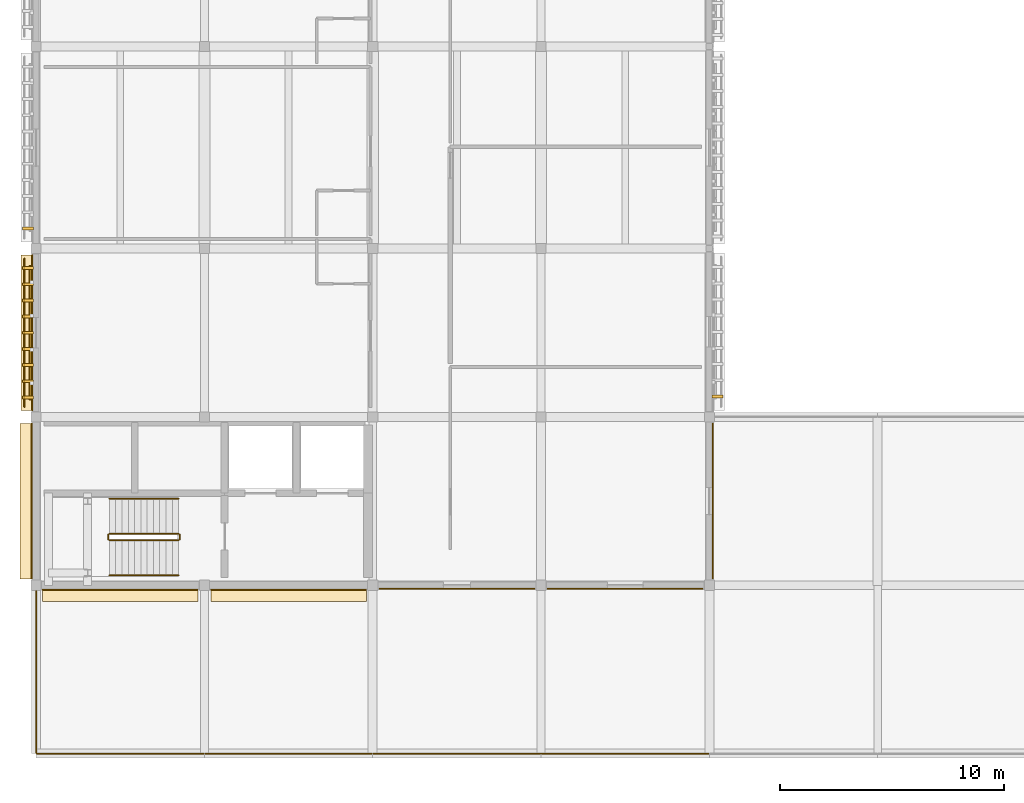
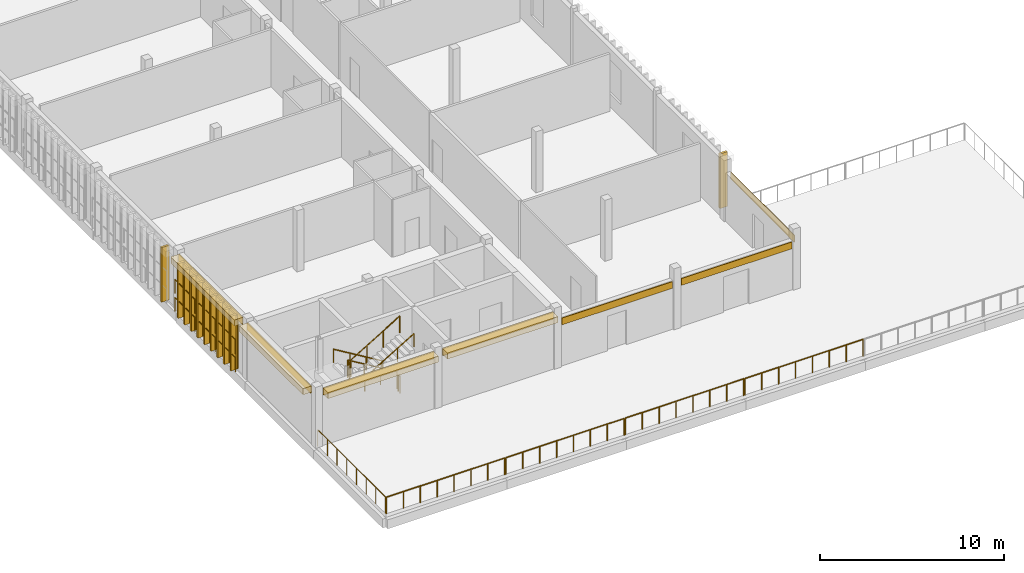
# One storey, part 9 of 13: 22 coverings, 13 railings, 4 shading devices.
"""IFC4 building model written with IfcOpenShell, lengths in metres."""

import ifcopenshell
import ifcopenshell.guid

model = None  # the IFC model being written
_history = None  # IfcOwnerHistory: only IFC2X3 demands one
_inside = {}  # id of a spatial element -> (the spatial element, [elements in it])
_under = {}  # id of a project, library or spatial element -> (it, [spatial elements below it])
_declared = {}  # id of a project -> (the project, [libraries it declares])
_typed = {}  # id of a type object -> (the type object, [elements of that type])
_made_of = {}  # id of a material, layer set ... -> (it, [elements and type objects made of it])


def new_model(schema):
    """Start an empty IFC model of exactly this schema.

    Asked for "IFC4X3", IfcOpenShell would pick the latest addendum, in which some entities
    have other attributes; the version numbers below select the first issue.
    IFC2X3 requires an IfcOwnerHistory on every rooted entity: one is made here for all.
    """
    global model, _history
    if schema == "IFC4X3":
        model = ifcopenshell.file(schema_version=(4, 3, 0, 0))
    else:
        model = ifcopenshell.file(schema=schema)
    _inside.clear()
    _under.clear()
    _declared.clear()
    _typed.clear()
    _made_of.clear()
    _history = None
    if model.schema == "IFC2X3":
        org = make("IfcOrganization", Name="unknown")
        user = make(
            "IfcPersonAndOrganization",
            ThePerson=make("IfcPerson", FamilyName="unknown"),
            TheOrganization=org,
        )
        app = make(
            "IfcApplication",
            ApplicationDeveloper=org,
            Version="unknown",
            ApplicationFullName="unknown",
            ApplicationIdentifier="unknown",
        )
        _history = make(
            "IfcOwnerHistory",
            OwningUser=user,
            OwningApplication=app,
            ChangeAction="ADDED",
            CreationDate=0,
        )
    return model


def make(cls, **values):
    """One entity of the class cls with the attributes given. An attribute that is None is left unset."""
    return model.create_entity(
        cls, **{name: value for name, value in values.items() if value is not None}
    )


def rooted(cls, **values):
    """An entity with a GlobalId (a new one), such as an element, a storey or a relation."""
    return make(cls, GlobalId=ifcopenshell.guid.new(), OwnerHistory=_history, **values)


def si_unit(unit_type, name, prefix=None):
    """IfcSIUnit, for example si_unit("LENGTHUNIT", "METRE", prefix="MILLI")."""
    return make("IfcSIUnit", UnitType=unit_type, Prefix=prefix, Name=name)


def assignment(units):
    """IfcUnitAssignment: the units of a project."""
    return None if units is None else make("IfcUnitAssignment", Units=units)


def point(xyz):
    """IfcCartesianPoint."""
    return None if xyz is None else make("IfcCartesianPoint", Coordinates=xyz)


def direction(xyz):
    """IfcDirection."""
    return None if xyz is None else make("IfcDirection", DirectionRatios=xyz)


def frame(location, z_axis=None, x_axis=None):
    """IfcAxis2Placement3D, a coordinate frame: its origin and axes. An axis left out is left unset."""
    return make(
        "IfcAxis2Placement3D",
        Location=point(location),
        Axis=direction(z_axis),
        RefDirection=direction(x_axis),
    )


def frame_2d(location, x_axis=None):
    """IfcAxis2Placement2D, a coordinate frame in the plane: its origin and x axis."""
    return make(
        "IfcAxis2Placement2D", Location=point(location), RefDirection=direction(x_axis)
    )


def origin():
    """The frame at (0, 0, 0) with its axes left unset."""
    return frame((0.0, 0.0, 0.0))


def origin_2d():
    """The frame at (0, 0) in the plane with its x axis left unset."""
    return frame_2d((0.0, 0.0))


def place(relative_to, where):
    """IfcLocalPlacement: puts the frame where relative to a parent placement (None: the world)."""
    return make(
        "IfcLocalPlacement", PlacementRelTo=relative_to, RelativePlacement=where
    )


def context(
    kind, dimensions, precision=None, world=None, true_north=None, identifier=None
):
    """IfcGeometricRepresentationContext, for example the 3D "Model" context."""
    return make(
        "IfcGeometricRepresentationContext",
        ContextIdentifier=identifier,
        ContextType=kind,
        CoordinateSpaceDimension=dimensions,
        Precision=precision,
        WorldCoordinateSystem=world,
        TrueNorth=true_north,
    )


def subcontext(parent, identifier, kind, view, scale=None):
    """IfcGeometricRepresentationSubContext, for example "Body" below "Model"."""
    return make(
        "IfcGeometricRepresentationSubContext",
        ContextIdentifier=identifier,
        ContextType=kind,
        ParentContext=parent,
        TargetScale=scale,
        TargetView=view,
    )


def project(units=None, contexts=None):
    """IfcProject with its units and contexts."""
    return rooted(
        "IfcProject",
        Name="project",
        RepresentationContexts=contexts,
        UnitsInContext=assignment(units),
    )


def spatial(cls, under=None, at=None, **own):
    """A site, building, storey or space (cls), placed at a placement, below another one or the project."""
    s = rooted(cls, ObjectPlacement=at, **own)
    if under is not None:
        _under.setdefault(under.id(), (under, []))[1].append(s)
    return s


def profile(cls, at=None, kind="AREA", **sizes):
    """A parametric profile (cls). Its sizes go by their IFC names, for example OverallWidth=200.0."""
    return make(cls, ProfileType=kind, Position=at, **sizes)


def rectangle(**sizes):
    """IfcRectangleProfileDef."""
    return profile("IfcRectangleProfileDef", **sizes)


def circle(**sizes):
    """IfcCircleProfileDef."""
    return profile("IfcCircleProfileDef", **sizes)


def extrude(swept, where, along, depth):
    """IfcExtrudedAreaSolid: the profile swept, set in the frame where, extruded along a direction by depth."""
    return make(
        "IfcExtrudedAreaSolid",
        SweptArea=swept,
        Position=where,
        ExtrudedDirection=direction(along),
        Depth=depth,
    )


def shape(context_of_items, identifier, shape_type, items):
    """IfcShapeRepresentation: the items that make up one representation, for example the "Body"."""
    return make(
        "IfcShapeRepresentation",
        ContextOfItems=context_of_items,
        RepresentationIdentifier=identifier,
        RepresentationType=shape_type,
        Items=items,
    )


def material(Name=None, Category=None):
    """IfcMaterial."""
    return make("IfcMaterial", Name=Name, Category=Category)


def layer(
    of_material, thickness, ventilated=None, Name=None, Category=None, Priority=None
):
    """IfcMaterialLayer: one layer of a wall or slab, of a material (None: an air gap)."""
    return make(
        "IfcMaterialLayer",
        Material=of_material,
        LayerThickness=thickness,
        IsVentilated=ventilated,
        Name=Name,
        Category=Category,
        Priority=Priority,
    )


def layer_set(layers, Name=None):
    """IfcMaterialLayerSet."""
    return make("IfcMaterialLayerSet", MaterialLayers=layers, LayerSetName=Name)


def made_of(thing, what):
    """Note that an element or type object is made of a material, layer set ...; save() writes the relation."""
    if what is not None:
        _made_of.setdefault(what.id(), (what, []))[1].append(thing)
    return thing


def type_object(cls, material=None, **own):
    """A type object (cls), such as IfcWallType, which elements share."""
    return made_of(rooted(cls, **own), material)


def element(
    cls,
    number,
    at=None,
    inside=None,
    cuts=None,
    type_object=None,
    material=None,
    context=None,
    identifier="Body",
    shape_type=None,
    held_by="IfcProductDefinitionShape",
    body=None,
    shapes=None,
    **own,
):
    """One element of the class cls, such as IfcWall. Its Tag is "e" and its number.

    at: its placement. inside: the storey or other place that contains it. cuts: it is an
    opening in that element (IfcRelVoidsElement). A single representation is given by context,
    identifier, shape_type and body (its items); several are given by shapes. held_by: the class
    of the entity that holds the representations. save() writes the other relations.
    """
    e = rooted(cls, Tag="e%d" % number, ObjectPlacement=at, **own)
    if body is not None:
        shapes = [shape(context, identifier, shape_type, body)]
    if shapes is not None:
        e.Representation = make(held_by, Representations=shapes)
    if inside is not None:
        _inside.setdefault(inside.id(), (inside, []))[1].append(e)
    if cuts is not None:
        rooted(
            "IfcRelVoidsElement", RelatingBuildingElement=cuts, RelatedOpeningElement=e
        )
    if type_object is not None:
        _typed.setdefault(type_object.id(), (type_object, []))[1].append(e)
    return made_of(e, material)


def aggregate(whole, parts):
    """IfcRelAggregates: a whole, such as a stair, and the parts it consists of."""
    return rooted("IfcRelAggregates", RelatingObject=whole, RelatedObjects=parts)


def save(model, path):
    """Write the relations noted so far, then the file.

    IfcRelAggregates (storeys below a building ...), IfcRelContainedInSpatialStructure (elements
    in a storey), IfcRelDefinesByType, IfcRelAssociatesMaterial and IfcRelDeclares: one each for
    every whole, place, type object, material and project.
    """
    for whole, parts in _under.values():
        aggregate(whole, parts)
    for where, things in _inside.values():
        rooted(
            "IfcRelContainedInSpatialStructure",
            RelatedElements=things,
            RelatingStructure=where,
        )
    for kind, things in _typed.values():
        rooted("IfcRelDefinesByType", RelatedObjects=things, RelatingType=kind)
    for what, things in _made_of.values():
        rooted("IfcRelAssociatesMaterial", RelatedObjects=things, RelatingMaterial=what)
    for by, libraries in _declared.values():
        rooted("IfcRelDeclares", RelatingContext=by, RelatedDefinitions=libraries)
    model.write(path)


model = new_model("IFC4")

# Units and contexts
model_context = context("Model", 3, precision=1e-05, world=origin(), true_north=direction((0.0, 1.0)))
body_context = subcontext(model_context, "Body", "Model", "MODEL_VIEW")
ifc_project = project(units=[si_unit("LENGTHUNIT", "METRE"), si_unit("AREAUNIT", "SQUARE_METRE"), si_unit("VOLUMEUNIT", "CUBIC_METRE"), si_unit("PLANEANGLEUNIT", "RADIAN"), si_unit("MASSUNIT", "GRAM", prefix="KILO")], contexts=[model_context])

# Site, building, storey
site_placement = place(None, origin())
site = spatial("IfcSite", under=ifc_project, at=site_placement, CompositionType="ELEMENT")
building_placement = place(site_placement, origin())
building = spatial("IfcBuilding", under=site, at=building_placement, Name="Dalvernix Boulevard General Hospital", CompositionType="ELEMENT")
storey_placement = place(building_placement, frame((0.0, 0.0, 30.0)))
storey = spatial("IfcBuildingStorey", under=building, at=storey_placement, Name="L07", CompositionType="ELEMENT", Elevation=30.0)

# Coverings
ifc_material_1 = material(Name="Polychrome Catalan glazed ceramic spandrel tile panel")
ifc_layer_1 = layer(ifc_material_1, 0.044921875)
ifc_layer_set_1 = layer_set([ifc_layer_1], Name="Polychrome Catalan glazed ceramic spandrel tile panel (COV-CLD-01)")
covering_type_1 = type_object("IfcCoveringType", Name="COV-CLD-01", PredefinedType="CLADDING", material=ifc_layer_set_1)
for number, where, z_axis, x_axis, name in (
    (1, (3.75, 7.304931640625, 3.35498046875), (0.0, 0.0, 1.0), (-1.0, 0.0, 0.0), "L07 polychrome ceramic spandrel S 0-1"),
    (2, (-0.195068359375, 11.25, 3.35498046875), (0.0, 0.0, 1.0), (0.0, 1.0, 0.0), "L07 polychrome ceramic spandrel W 0-1"),
    (3, (-0.159912109375, 18.75, 3.35498046875), (0.0, 0.0, 1.0), (0.0, 1.0, 0.0), "L07 polychrome ceramic spandrel W 0-2"),
    (4, (11.25, 7.304931640625, 3.35498046875), (0.0, 0.0, 1.0), (-1.0, 0.0, 0.0), "L07 polychrome ceramic spandrel S 1-1"),
    (5, (18.75, 7.340087890625, 2.7548828125), (0.0, 0.0, 1.0), (-1.0, 0.0, 0.0), "L07 polychrome ceramic spandrel S 2-1"),
    (6, (26.25, 7.340087890625, 2.7548828125), (0.0, 0.0, 1.0), (-1.0, 0.0, 0.0), "L07 polychrome ceramic spandrel S 3-1"),
    (7, (30.159912109375, 11.25, 2.7548828125), (0.0, 0.0, 1.0), (0.0, -1.0, 0.0), "L07 polychrome ceramic spandrel E 4-1"),
):
    element("IfcCovering", number, at=place(storey_placement, frame(where, z_axis=z_axis, x_axis=x_axis)), inside=storey, type_object=covering_type_1, Name=name, PredefinedType="CLADDING", context=body_context, shape_type="SweptSolid", body=[
        extrude(rectangle(XDim=6.929931640625, YDim=0.044921875, at=origin_2d()), origin(), (0.0, 0.0, 1.0), 0.449951171875),
    ])
ifc_material_2 = material(Name="Dressed ochre limestone classical plinth, stringcourse and corbelled cornice", Category="masonry")
ifc_layer_2 = layer(ifc_material_2, 0.449951171875)
ifc_layer_set_2 = layer_set([ifc_layer_2], Name="Dressed ochre limestone classical plinth, stringcourse and corbelled cornice (COV-CRN-01)")
covering_type_2 = type_object("IfcCoveringType", Name="COV-CRN-01", PredefinedType="CLADDING", material=ifc_layer_set_2)
for number, where, z_axis, x_axis, name in (
    (8, (3.75, 7.06494140625, 3.429931640625), (0.0, 0.0, 1.0), (-1.0, 0.0, 0.0), "L07 classical corbelled cornice frieze S 0-1"),
    (9, (-0.43505859375, 11.25, 3.429931640625), (0.0, 0.0, 1.0), (0.0, 1.0, 0.0), "L07 classical corbelled cornice frieze W 0-1"),
    (10, (-0.39990234375, 18.75, 3.429931640625), (0.0, 0.0, 1.0), (0.0, 1.0, 0.0), "L07 classical corbelled cornice frieze W 0-2"),
    (11, (11.25, 7.06494140625, 3.429931640625), (0.0, 0.0, 1.0), (-1.0, 0.0, 0.0), "L07 classical corbelled cornice frieze S 1-1"),
):
    element("IfcCovering", number, at=place(storey_placement, frame(where, z_axis=z_axis, x_axis=x_axis)), inside=storey, type_object=covering_type_2, Name=name, PredefinedType="CLADDING", context=body_context, shape_type="SweptSolid", body=[
        extrude(rectangle(XDim=6.929931640625, YDim=0.56005859375, at=origin_2d()), origin(), (0.0, 0.0, 1.0), 0.39990234375),
    ])
ifc_material_3 = material(Name="Preservative-treated West African iroko timber lattice screen", Category="wood")
ifc_layer_3 = layer(ifc_material_3, 0.1201171875)
ifc_layer_set_3 = layer_set([ifc_layer_3], Name="Preservative-treated West African iroko timber lattice screen (COV-TSCR-01)")
covering_type_3 = type_object("IfcCoveringType", Name="COV-TSCR-01", PredefinedType="CLADDING", material=ifc_layer_set_3)
for number, where, z_axis, x_axis, name in (
    (12, (-0.360107421875, 15.8701171875, 0.10009765625), (0.0, 0.0, 1.0), (0.0, 1.0, 0.0), "L07 upper-ward timber screen blade W 0-2-1"),
    (13, (-0.360107421875, 16.590087890625, 0.10009765625), (0.0, 0.0, 1.0), (0.0, 1.0, 0.0), "L07 upper-ward timber screen blade W 0-2-2"),
    (14, (-0.360107421875, 17.31005859375, 0.10009765625), (0.0, 0.0, 1.0), (0.0, 1.0, 0.0), "L07 upper-ward timber screen blade W 0-2-3"),
    (15, (-0.360107421875, 18.030029296875, 0.10009765625), (0.0, 0.0, 1.0), (0.0, 1.0, 0.0), "L07 upper-ward timber screen blade W 0-2-4"),
    (16, (-0.360107421875, 18.75, 0.10009765625), (0.0, 0.0, 1.0), (0.0, 1.0, 0.0), "L07 upper-ward timber screen blade W 0-2-5"),
    (17, (-0.360107421875, 19.469970703125, 0.10009765625), (0.0, 0.0, 1.0), (0.0, 1.0, 0.0), "L07 upper-ward timber screen blade W 0-2-6"),
    (18, (-0.360107421875, 20.18994140625, 0.10009765625), (0.0, 0.0, 1.0), (0.0, 1.0, 0.0), "L07 upper-ward timber screen blade W 0-2-7"),
    (19, (-0.360107421875, 20.909912109375, 0.10009765625), (0.0, 0.0, 1.0), (0.0, 1.0, 0.0), "L07 upper-ward timber screen blade W 0-2-8"),
    (20, (-0.360107421875, 21.6298828125, 0.10009765625), (0.0, 0.0, 1.0), (0.0, 1.0, 0.0), "L07 upper-ward timber screen blade W 0-2-9"),
    (21, (-0.360107421875, 23.39990234375, 0.10009765625), (0.0, 0.0, 1.0), (0.0, 1.0, 0.0), "L07 upper-ward timber screen blade W 0-3-1"),
    (22, (30.360107421875, 15.91259765625, 0.10009765625), (0.0, 0.0, 1.0), (0.0, -1.0, 0.0), "L07 upper-ward timber screen blade E 4-2-9"),
):
    element("IfcCovering", number, at=place(storey_placement, frame(where, z_axis=z_axis, x_axis=x_axis)), inside=storey, type_object=covering_type_3, Name=name, PredefinedType="CLADDING", context=body_context, shape_type="SweptSolid", body=[
        extrude(rectangle(XDim=0.1298828125, YDim=0.47998046875, at=origin_2d()), origin(), (0.0, 0.0, 1.0), 3.6298828125),
    ])

# Railings
ifc_material_4 = material(Name="Powder-coated galvanized steel balustrade", Category="steel")
railing_type_1 = type_object("IfcRailingType", Name="RL-GR-EXT1", PredefinedType="BALUSTRADE", material=ifc_material_4)
for number, where, name in (
    (23, (29.9599609375, 0.0, 0.0), "L07 terrace safety balustrade 7"),
    (24, (22.4599609375, 0.0, 0.0), "L07 terrace safety balustrade 8"),
    (25, (14.9599609375, 0.0, 0.0), "L07 terrace safety balustrade 9"),
    (26, (7.4599609375, 0.0, 0.0), "L07 terrace safety balustrade 10"),
):
    element("IfcRailing", number, at=place(storey_placement, frame(where)), inside=storey, type_object=railing_type_1, Name=name, PredefinedType="BALUSTRADE", context=body_context, shape_type="SweptSolid", body=[
        extrude(circle(Radius=0.02392578125, at=origin_2d()), frame((0.0, 0.0, 1.09619140625), z_axis=(-1.0, 0.0, 0.0), x_axis=(0.0, -1.0, 0.0)), (0.0, 0.0, 1.0), 7.419921875),
        extrude(circle(Radius=0.02099609375, at=origin_2d()), origin(), (0.0, 0.0, 1.0), 1.072021484375),
        extrude(circle(Radius=0.02099609375, at=origin_2d()), frame((-1.06005859375, 0.0, 0.0)), (0.0, 0.0, 1.0), 1.072021484375),
        extrude(circle(Radius=0.02099609375, at=origin_2d()), frame((-2.119873046875, 0.0, 0.0)), (0.0, 0.0, 1.0), 1.072021484375),
        extrude(circle(Radius=0.02099609375, at=origin_2d()), frame((-3.179931640625, 0.0, 0.0)), (0.0, 0.0, 1.0), 1.072021484375),
        extrude(circle(Radius=0.02099609375, at=origin_2d()), frame((-4.239990234375, 0.0, 0.0)), (0.0, 0.0, 1.0), 1.072021484375),
        extrude(circle(Radius=0.02099609375, at=origin_2d()), frame((-5.300048828125, 0.0, 0.0)), (0.0, 0.0, 1.0), 1.072021484375),
        extrude(circle(Radius=0.02099609375, at=origin_2d()), frame((-6.35986328125, 0.0, 0.0)), (0.0, 0.0, 1.0), 1.072021484375),
        extrude(circle(Radius=0.02099609375, at=origin_2d()), frame((-7.419921875, 0.0, 0.0)), (0.0, 0.0, 1.0), 1.072021484375),
    ])
railing_1_placement = place(storey_placement, frame((0.0, 0.0400390625, 0.0)))
element("IfcRailing", 27, at=railing_1_placement, inside=storey, type_object=railing_type_1, Name="L07 terrace safety balustrade 11", PredefinedType="BALUSTRADE", context=body_context, shape_type="SweptSolid", body=[
    extrude(circle(Radius=0.02392578125, at=origin_2d()), frame((0.0, 0.0, 1.09619140625), z_axis=(0.0, 1.0, 0.0), x_axis=(-1.0, 0.0, 0.0)), (0.0, 0.0, 1.0), 7.369873046875),
    extrude(circle(Radius=0.02099609375, at=origin_2d()), origin(), (0.0, 0.0, 1.0), 1.072021484375),
    extrude(circle(Radius=0.02099609375, at=origin_2d()), frame((0.0, 1.052734375, 0.0)), (0.0, 0.0, 1.0), 1.072021484375),
    extrude(circle(Radius=0.02099609375, at=origin_2d()), frame((0.0, 2.105712890625, 0.0)), (0.0, 0.0, 1.0), 1.072021484375),
    extrude(circle(Radius=0.02099609375, at=origin_2d()), frame((0.0, 3.158447265625, 0.0)), (0.0, 0.0, 1.0), 1.072021484375),
    extrude(circle(Radius=0.02099609375, at=origin_2d()), frame((0.0, 4.21142578125, 0.0)), (0.0, 0.0, 1.0), 1.072021484375),
    extrude(circle(Radius=0.02099609375, at=origin_2d()), frame((0.0, 5.26416015625, 0.0)), (0.0, 0.0, 1.0), 1.072021484375),
    extrude(circle(Radius=0.02099609375, at=origin_2d()), frame((0.0, 6.317138671875, 0.0)), (0.0, 0.0, 1.0), 1.072021484375),
    extrude(circle(Radius=0.02099609375, at=origin_2d()), frame((0.0, 7.369873046875, 0.0)), (0.0, 0.0, 1.0), 1.072021484375),
])
ifc_material_5 = material(Name="Brushed stainless steel balustrade", Category="steel")
railing_type_2 = type_object("IfcRailingType", Name="RL-GR-INT1", PredefinedType="BALUSTRADE", material=ifc_material_5)
railing_2_placement = place(storey_placement, frame((6.35009765625, 9.800048828125, 0.168701171875)))
element("IfcRailing", 28, at=railing_2_placement, inside=storey, type_object=railing_type_2, Name="L07 ST-01 stair guard 1", PredefinedType="BALUSTRADE", context=body_context, shape_type="SweptSolid", body=[
    extrude(circle(Radius=0.02392578125, at=origin_2d()), frame((0.0, 0.0, 1.09619140625), z_axis=(-0.856490936558, 0.0, 0.516162063304), x_axis=(0.0, -1.0, 0.0)), (0.0, 0.0, 1.0), 3.59619140625),
    extrude(circle(Radius=0.02099609375, at=origin_2d()), origin(), (0.0, 0.0, 1.0), 1.072021484375),
    extrude(circle(Radius=0.02099609375, at=origin_2d()), frame((-1.026611328125, 0.0, 0.61865234375)), (0.0, 0.0, 1.0), 1.072021484375),
    extrude(circle(Radius=0.02099609375, at=origin_2d()), frame((-2.053466796875, 0.0, 1.237548828125)), (0.0, 0.0, 1.0), 1.072021484375),
    extrude(circle(Radius=0.02099609375, at=origin_2d()), frame((-3.080078125, 0.0, 1.856201171875)), (0.0, 0.0, 1.0), 1.072021484375),
])
railing_3_placement = place(storey_placement, frame((3.219970703125, 9.75, 2.02490234375)))
element("IfcRailing", 29, at=railing_3_placement, inside=storey, type_object=railing_type_2, Name="L07 ST-01 stair guard 2", PredefinedType="BALUSTRADE", context=body_context, shape_type="SweptSolid", body=[
    extrude(circle(Radius=0.02392578125, at=origin_2d()), frame((0.0, 0.0, 1.09619140625), z_axis=(0.0, -1.0, 0.0), x_axis=(1.0, 0.0, 0.0)), (0.0, 0.0, 1.0), 0.199951171875),
    extrude(circle(Radius=0.02099609375, at=origin_2d()), origin(), (0.0, 0.0, 1.0), 1.072021484375),
    extrude(circle(Radius=0.02099609375, at=origin_2d()), frame((0.0, -0.199951171875, 0.0)), (0.0, 0.0, 1.0), 1.072021484375),
])
railing_4_placement = place(storey_placement, frame((3.27001953125, 9.5, 2.19384765625)))
element("IfcRailing", 30, at=railing_4_placement, inside=storey, type_object=railing_type_2, Name="L07 ST-01 stair guard 3", PredefinedType="BALUSTRADE", context=body_context, shape_type="SweptSolid", body=[
    extrude(circle(Radius=0.02392578125, at=origin_2d()), frame((0.0, 0.0, 1.09619140625), z_axis=(0.856490936558, 0.0, 0.516162063304), x_axis=(0.0, 1.0, 0.0)), (0.0, 0.0, 1.0), 3.59619140625),
    extrude(circle(Radius=0.02099609375, at=origin_2d()), origin(), (0.0, 0.0, 1.0), 1.072021484375),
    extrude(circle(Radius=0.02099609375, at=origin_2d()), frame((1.026611328125, 0.0, 0.61865234375)), (0.0, 0.0, 1.0), 1.072021484375),
    extrude(circle(Radius=0.02099609375, at=origin_2d()), frame((2.053466796875, 0.0, 1.237548828125)), (0.0, 0.0, 1.0), 1.072021484375),
    extrude(circle(Radius=0.02099609375, at=origin_2d()), frame((3.080078125, 0.0, 1.856201171875)), (0.0, 0.0, 1.0), 1.072021484375),
])
railing_5_placement = place(storey_placement, frame((6.39990234375, 9.75, 0.0)))
element("IfcRailing", 31, at=railing_5_placement, inside=storey, type_object=railing_type_2, Name="L07 ST-01 stair guard 4", PredefinedType="BALUSTRADE", context=body_context, shape_type="SweptSolid", body=[
    extrude(circle(Radius=0.02392578125, at=origin_2d()), frame((0.0, 0.0, 1.09619140625), z_axis=(0.0, -1.0, 0.0), x_axis=(1.0, 0.0, 0.0)), (0.0, 0.0, 1.0), 0.199951171875),
    extrude(circle(Radius=0.02099609375, at=origin_2d()), origin(), (0.0, 0.0, 1.0), 1.072021484375),
    extrude(circle(Radius=0.02099609375, at=origin_2d()), frame((0.0, -0.199951171875, 0.0)), (0.0, 0.0, 1.0), 1.072021484375),
])
ifc_material_6 = material(Name="Brushed stainless steel wall handrail", Category="steel")
railing_type_3 = type_object("IfcRailingType", Name="RL-HR-INT1", PredefinedType="HANDRAIL", material=ifc_material_6)
railing_6_placement = place(storey_placement, frame((6.35009765625, 11.35009765625, 0.168701171875)))
element("IfcRailing", 32, at=railing_6_placement, inside=storey, type_object=railing_type_3, Name="L07 ST-01 stair handrail 1", PredefinedType="HANDRAIL", context=body_context, shape_type="SweptSolid", body=[
    extrude(circle(Radius=0.02392578125, at=origin_2d()), frame((0.0, 0.0, 0.8759765625), z_axis=(-0.856490936558, 0.0, 0.516162063304), x_axis=(0.0, -1.0, 0.0)), (0.0, 0.0, 1.0), 3.59619140625),
    extrude(circle(Radius=0.02099609375, at=origin_2d()), origin(), (0.0, 0.0, 1.0), 0.851806640625),
    extrude(circle(Radius=0.02099609375, at=origin_2d()), frame((-1.026611328125, 0.0, 0.61865234375)), (0.0, 0.0, 1.0), 0.851806640625),
    extrude(circle(Radius=0.02099609375, at=origin_2d()), frame((-2.053466796875, 0.0, 1.237548828125)), (0.0, 0.0, 1.0), 0.851806640625),
    extrude(circle(Radius=0.02099609375, at=origin_2d()), frame((-3.080078125, 0.0, 1.856201171875)), (0.0, 0.0, 1.0), 0.851806640625),
])
railing_7_placement = place(storey_placement, frame((3.27001953125, 7.949951171875, 2.19384765625)))
element("IfcRailing", 33, at=railing_7_placement, inside=storey, type_object=railing_type_3, Name="L07 ST-01 stair handrail 2", PredefinedType="HANDRAIL", context=body_context, shape_type="SweptSolid", body=[
    extrude(circle(Radius=0.02392578125, at=origin_2d()), frame((0.0, 0.0, 0.8759765625), z_axis=(0.856490936558, 0.0, 0.516162063304), x_axis=(0.0, 1.0, 0.0)), (0.0, 0.0, 1.0), 3.59619140625),
    extrude(circle(Radius=0.02099609375, at=origin_2d()), origin(), (0.0, 0.0, 1.0), 0.851806640625),
    extrude(circle(Radius=0.02099609375, at=origin_2d()), frame((1.026611328125, 0.0, 0.61865234375)), (0.0, 0.0, 1.0), 0.851806640625),
    extrude(circle(Radius=0.02099609375, at=origin_2d()), frame((2.053466796875, 0.0, 1.237548828125)), (0.0, 0.0, 1.0), 0.851806640625),
    extrude(circle(Radius=0.02099609375, at=origin_2d()), frame((3.080078125, 0.0, 1.856201171875)), (0.0, 0.0, 1.0), 0.851806640625),
])
ifc_material_7 = material(Name="Preservative-treated iroko timber horizontal screen louver rail", Category="wood")
railing_type_4 = type_object("IfcRailingType", Name="RL-TSCR-01", PredefinedType="BALUSTRADE", material=ifc_material_7)
for number, where, name in (
    (34, (-0.52001953125, 15.455078125, 0.25), "L07 upper-ward horizontal timber screen louver W 0-2-1"),
    (35, (-0.52001953125, 15.455078125, 1.449951171875), "L07 upper-ward horizontal timber screen louver W 0-2-2"),
):
    element("IfcRailing", number, at=place(storey_placement, frame(where)), inside=storey, type_object=railing_type_4, Name=name, PredefinedType="BALUSTRADE", context=body_context, shape_type="SweptSolid", body=[
        extrude(circle(Radius=0.02392578125, at=origin_2d()), frame((0.0, 0.0, 0.92578125), z_axis=(0.0, 1.0, 0.0), x_axis=(-1.0, 0.0, 0.0)), (0.0, 0.0, 1.0), 6.58984375),
        extrude(circle(Radius=0.02099609375, at=origin_2d()), origin(), (0.0, 0.0, 1.0), 0.90185546875),
        extrude(circle(Radius=0.02099609375, at=origin_2d()), frame((0.0, 1.098388671875, 0.0)), (0.0, 0.0, 1.0), 0.90185546875),
        extrude(circle(Radius=0.02099609375, at=origin_2d()), frame((0.0, 2.196533203125, 0.0)), (0.0, 0.0, 1.0), 0.90185546875),
        extrude(circle(Radius=0.02099609375, at=origin_2d()), frame((0.0, 3.294921875, 0.0)), (0.0, 0.0, 1.0), 0.90185546875),
        extrude(circle(Radius=0.02099609375, at=origin_2d()), frame((0.0, 4.393310546875, 0.0)), (0.0, 0.0, 1.0), 0.90185546875),
        extrude(circle(Radius=0.02099609375, at=origin_2d()), frame((0.0, 5.491455078125, 0.0)), (0.0, 0.0, 1.0), 0.90185546875),
        extrude(circle(Radius=0.02099609375, at=origin_2d()), frame((0.0, 6.58984375, 0.0)), (0.0, 0.0, 1.0), 0.90185546875),
    ])

# Shading devices
ifc_material_8 = material(Name="Perforated iroko timber and glazed ceramic screen (30 percent open)", Category="wood")
shading_device_type = type_object("IfcShadingDeviceType", Name="SHD-SCR-01", PredefinedType="USERDEFINED", material=ifc_material_8)
for number, where, z_axis, x_axis, name in (
    (36, (-0.260009765625, 16.5, 0.14990234375), (0.0, 0.0, 1.0), (0.0, 1.0, 0.0), "L07 perforated timber screen 1"),
    (37, (-0.260009765625, 18.0, 0.14990234375), (0.0, 0.0, 1.0), (0.0, 1.0, 0.0), "L07 perforated timber screen 2"),
    (38, (-0.260009765625, 19.5, 0.14990234375), (0.0, 0.0, 1.0), (0.0, 1.0, 0.0), "L07 perforated timber screen 3"),
    (39, (-0.260009765625, 21.0, 0.14990234375), (0.0, 0.0, 1.0), (0.0, 1.0, 0.0), "L07 perforated timber screen 4"),
):
    element("IfcShadingDevice", number, at=place(storey_placement, frame(where, z_axis=z_axis, x_axis=x_axis)), inside=storey, type_object=shading_device_type, Name=name, ObjectType="SCREEN", PredefinedType="USERDEFINED", context=body_context, shape_type="SweptSolid", body=[
        extrude(rectangle(XDim=1.4599609375, YDim=0.080078125, at=origin_2d()), origin(), (0.0, 0.0, 1.0), 3.530029296875),
    ])

save(model, "model.ifc")
